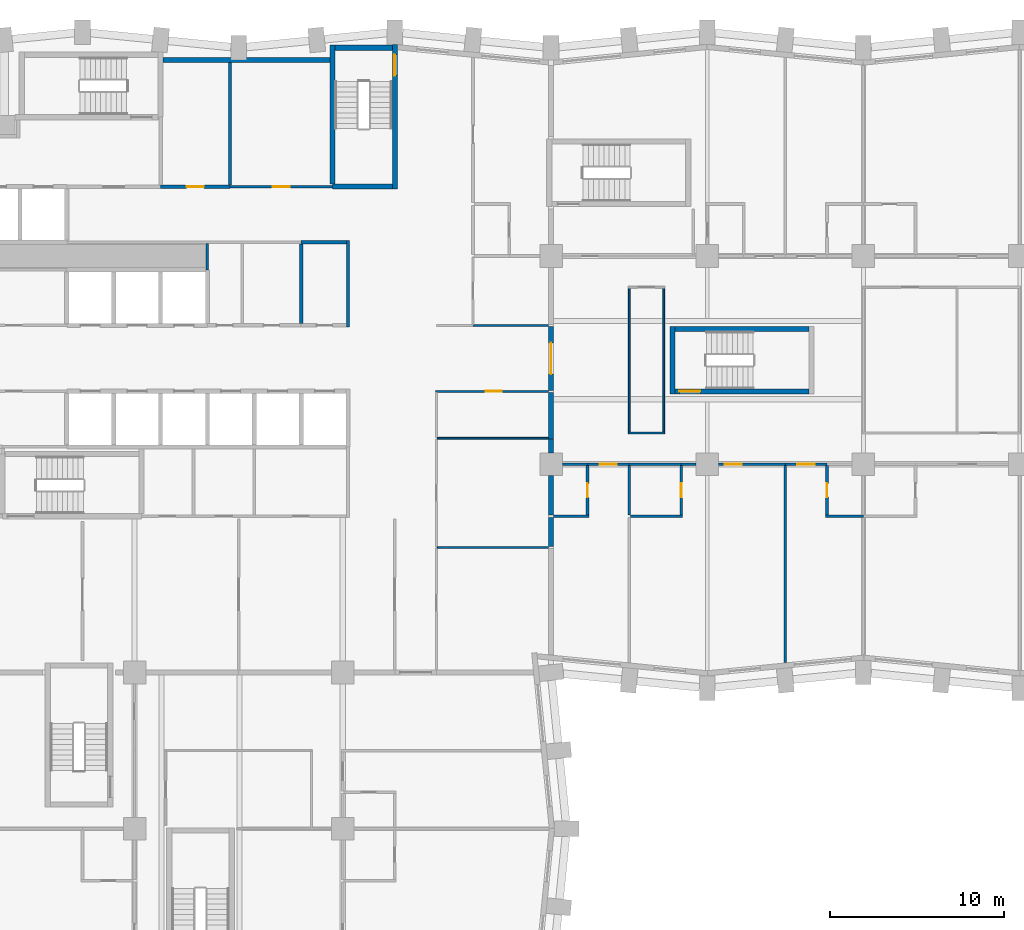
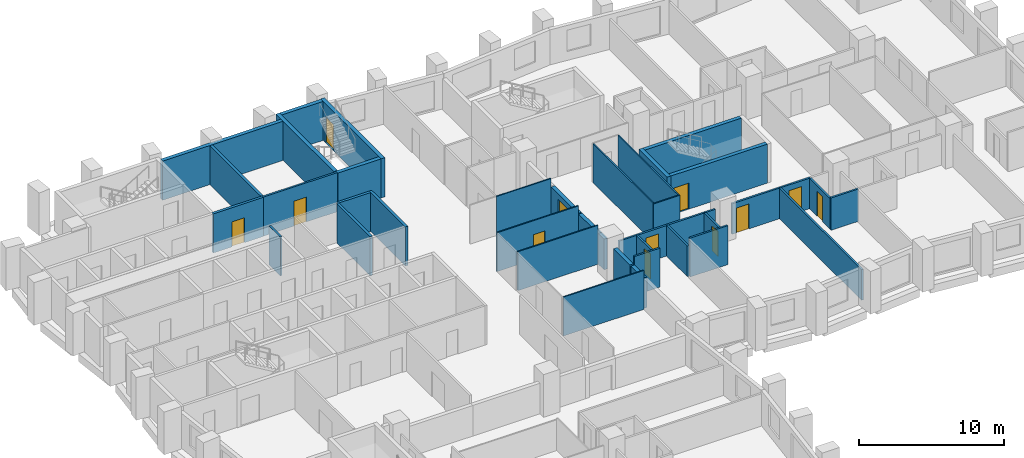
# One storey, part 7 of 12: 41 walls, 12 doors, 12 openings.
"""IFC4 building model written with IfcOpenShell, lengths in metres."""

from ifc_helpers import new_model, si_unit, direction, frame, frame_2d, origin, place, context, subcontext, project, spatial, rectangle, extrude, material, layer, layer_set, type_object, element, fill, save


model = new_model("IFC4")

# Units and contexts
model_context = context("Model", 3, precision=1e-05, world=origin(), true_north=direction((0.0, 1.0)))
body_context = subcontext(model_context, "Body", "Model", "MODEL_VIEW")
ifc_project = project(units=[si_unit("LENGTHUNIT", "METRE"), si_unit("AREAUNIT", "SQUARE_METRE"), si_unit("VOLUMEUNIT", "CUBIC_METRE"), si_unit("PLANEANGLEUNIT", "RADIAN"), si_unit("MASSUNIT", "GRAM", prefix="KILO")], contexts=[model_context])

# Site, building, storey
site_placement = place(None, origin())
site = spatial("IfcSite", under=ifc_project, at=site_placement, CompositionType="ELEMENT")
building_placement = place(site_placement, origin())
building = spatial("IfcBuilding", under=site, at=building_placement, Name="Brondeck Convention Tower", CompositionType="ELEMENT")
storey_placement = place(building_placement, frame((0.0, 0.0, 55.5)))
storey = spatial("IfcBuildingStorey", under=building, at=storey_placement, Name="L11", CompositionType="ELEMENT", Elevation=55.5)

# Walls
ifc_material_1 = material(Name="Concrete compartment wall C30/37", Category="concrete")
ifc_layer_1 = layer(ifc_material_1, 0.300048828125)
ifc_layer_set_1 = layer_set([ifc_layer_1], Name="Compartment wall 300")
wall_type_1 = type_object("IfcWallType", Name="Compartment wall 300", PredefinedType="PARTITIONING", material=ifc_layer_set_1)
wall_1_placement = place(storey_placement, frame((36.0, 35.925048828125, 0.0), z_axis=(0.0, 0.0, 1.0), x_axis=(0.0, -1.0, 0.0)))
element("IfcWall", 1, at=wall_1_placement, inside=storey, type_object=wall_type_1, Name="FLR-L11-W048", PredefinedType="PARTITIONING", context=body_context, shape_type="SweptSolid", body=[
    extrude(rectangle(XDim=1.675048828125, YDim=0.300048828125, at=frame_2d((0.83740234375, 0.0))), origin(), (0.0, 0.0, 1.0), 2.580078125),
])
wall_2_placement = place(storey_placement, frame((36.0, 38.344970703125, 0.0), z_axis=(0.0, 0.0, 1.0), x_axis=(0.0, -1.0, 0.0)))
element("IfcWall", 2, at=wall_2_placement, inside=storey, type_object=wall_type_1, Name="FLR-L11-W060", PredefinedType="PARTITIONING", context=body_context, shape_type="SweptSolid", body=[
    extrude(rectangle(XDim=2.27001953125, YDim=0.300048828125, at=frame_2d((1.135009765625, 0.0))), origin(), (0.0, 0.0, 1.0), 2.580078125),
])
wall_3_placement = place(storey_placement, frame((36.0, 40.449951171875, 0.0), z_axis=(0.0, 0.0, 1.0), x_axis=(0.0, -1.0, 0.0)))
element("IfcWall", 3, at=wall_3_placement, inside=storey, type_object=wall_type_1, Name="FLR-L11-W079", PredefinedType="PARTITIONING", context=body_context, shape_type="SweptSolid", body=[
    extrude(rectangle(XDim=0.794921875, YDim=0.300048828125, at=frame_2d((0.3974609375, 0.0))), origin(), (0.0, 0.0, 1.0), 2.580078125),
])
wall_4_placement = place(storey_placement, frame((36.0, 43.14990234375, 0.0), z_axis=(0.0, 0.0, 1.0), x_axis=(0.0, -1.0, 0.0)))
element("IfcWall", 4, at=wall_4_placement, inside=storey, type_object=wall_type_1, Name="FLR-L11-W086", PredefinedType="PARTITIONING", context=body_context, shape_type="SweptSolid", body=[
    extrude(rectangle(XDim=2.69482421875, YDim=0.300048828125, at=frame_2d((1.347412109375, 0.0))), origin(), (0.0, 0.0, 1.0), 2.580078125),
])

# Wall, opening, door
wall_5_placement = place(storey_placement, frame((36.0, 46.949951171875, 0.0), z_axis=(0.0, 0.0, 1.0), x_axis=(0.0, -1.0, 0.0)))
wall_5 = element("IfcWall", 5, at=wall_5_placement, inside=storey, type_object=wall_type_1, Name="FLR-L11-W090", PredefinedType="PARTITIONING", context=body_context, shape_type="SweptSolid", body=[
    extrude(rectangle(XDim=3.699951171875, YDim=0.300048828125, at=frame_2d((1.85009765625, 0.0))), origin(), (0.0, 0.0, 1.0), 2.580078125),
])
opening_1_placement = place(wall_5_placement, frame((0.949951171875, 0.0, 0.0)))
opening_1 = element("IfcOpeningElement", 6, at=opening_1_placement, cuts=wall_5, Name="Opening H2-042", PredefinedType="OPENING", context=body_context, shape_type="SweptSolid", body=[
    extrude(rectangle(XDim=1.800048828125, YDim=2.10009765625, at=frame_2d((0.89990234375, 1.050048828125))), frame((0.0, 0.159912109375, 0.0), z_axis=(0.0, -1.0, 0.0), x_axis=(1.0, 0.0, 0.0)), (0.0, 0.0, 1.0), 0.320068359375),
])
ifc_material_2 = material(Name="Steel fire door pair", Category="steel")
door_type_1 = type_object("IfcDoorType", Name="Fire door pair 1800", OperationType="DOUBLE_DOOR_SINGLE_SWING", PredefinedType="DOOR", material=ifc_material_2)
door_1_placement = place(opening_1_placement, origin())
door_1 = element("IfcDoor", 7, at=door_1_placement, inside=storey, type_object=door_type_1, Name="Door H2-042", OperationType="DOUBLE_DOOR_SINGLE_SWING", OverallHeight=2.10009765625, OverallWidth=1.800048828125, PredefinedType="DOOR", context=body_context, shape_type="SweptSolid", body=[
    extrude(rectangle(XDim=1.800048828125, YDim=2.10009765625, at=frame_2d((0.89990234375, 1.050048828125))), frame((0.0, 0.02490234375, 0.0), z_axis=(0.0, -1.0, 0.0), x_axis=(1.0, 0.0, 0.0)), (0.0, 0.0, 1.0), 0.050048828125),
])
fill(opening_1, door_1)

# Walls
ifc_material_3 = material(Name="Concrete C80/95", Category="concrete")
ifc_layer_2 = layer(ifc_material_3, 0.199951171875)
ifc_layer_set_2 = layer_set([ifc_layer_2], Name="Core beam-seat wall 200 Concrete C80/95")
wall_type_2 = type_object("IfcWallType", Name="Core beam-seat wall 200 Concrete C80/95", PredefinedType="SHEAR", material=ifc_layer_set_2)
wall_6_placement = place(storey_placement, frame((24.300048828125, 46.89990234375, 0.0), z_axis=(0.0, 0.0, 1.0), x_axis=(0.0, 1.0, 0.0)))
element("IfcWall", 8, at=wall_6_placement, inside=storey, type_object=wall_type_2, Name="L11 core wall", PredefinedType="SHEAR", context=body_context, shape_type="SweptSolid", body=[
    extrude(rectangle(XDim=5.0, YDim=0.199951171875, at=frame_2d((2.5, 0.0))), origin(), (0.0, 0.0, 1.0), 3.300048828125),
])
ifc_layer_3 = layer(ifc_material_3, 0.300048828125)
ifc_layer_set_3 = layer_set([ifc_layer_3], Name="Core outer wall 300 Concrete C80/95")
wall_type_3 = type_object("IfcWallType", Name="Core outer wall 300 Concrete C80/95", PredefinedType="SHEAR", material=ifc_layer_set_3)
wall_7_placement = place(storey_placement, frame((13.64990234375, 62.300048828125, 0.0), z_axis=(0.0, 0.0, 1.0), x_axis=(1.0, 0.0, 0.0)))
element("IfcWall", 9, at=wall_7_placement, inside=storey, type_object=wall_type_3, Name="L11 core wall", PredefinedType="SHEAR", context=body_context, shape_type="SweptSolid", body=[
    extrude(rectangle(XDim=9.60009765625, YDim=0.300048828125, at=frame_2d((4.800048828125, 0.0))), origin(), (0.0, 0.0, 1.0), 3.300048828125),
])

# Wall, opening, door
ifc_material_4 = material(Name="Fire-rated gypsum board partition")
ifc_layer_4 = layer(ifc_material_4, 0.14990234375)
ifc_layer_set_4 = layer_set([ifc_layer_4], Name="Core partition 150 EI 60")
wall_type_4 = type_object("IfcWallType", Name="Core partition 150 EI 60", PredefinedType="PARTITIONING", material=ifc_layer_set_4)
wall_8_placement = place(storey_placement, frame((17.5, 55.0, 0.0), z_axis=(0.0, 0.0, 1.0), x_axis=(1.0, 0.0, 0.0)))
wall_8 = element("IfcWall", 10, at=wall_8_placement, inside=storey, type_object=wall_type_4, Name="L11 core wall", PredefinedType="PARTITIONING", context=body_context, shape_type="SweptSolid", body=[
    extrude(rectangle(XDim=5.89990234375, YDim=0.14990234375, at=frame_2d((2.949951171875, 0.0))), origin(), (0.0, 0.0, 1.0), 3.300048828125),
])
opening_2_placement = place(wall_8_placement, frame((2.449951171875, 0.0, 0.0)))
opening_2 = element("IfcOpeningElement", 11, at=opening_2_placement, cuts=wall_8, Name="Opening C09-14", PredefinedType="OPENING", context=body_context, shape_type="SweptSolid", body=[
    extrude(rectangle(XDim=1.0, YDim=2.10009765625, at=frame_2d((0.5, 1.050048828125))), frame((0.0, 0.0849609375, 0.0), z_axis=(0.0, -1.0, 0.0), x_axis=(1.0, 0.0, 0.0)), (0.0, 0.0, 1.0), 0.169921875),
])
ifc_material_5 = material(Name="Steel fire door", Category="steel")
door_type_2 = type_object("IfcDoorType", Name="Room door 1000x2100 EI 60", OperationType="NOTDEFINED", PredefinedType="DOOR", material=ifc_material_5)
door_2_placement = place(opening_2_placement, origin())
door_2 = element("IfcDoor", 12, at=door_2_placement, inside=storey, type_object=door_type_2, Name="L11 Room door NE-2", OperationType="SINGLE_SWING_RIGHT", OverallHeight=2.10009765625, OverallWidth=1.0, PredefinedType="DOOR", context=body_context, shape_type="SweptSolid", body=[
    extrude(rectangle(XDim=1.0, YDim=2.10009765625, at=frame_2d((0.5, 1.050048828125))), frame((0.0, 0.02490234375, 0.0), z_axis=(0.0, -1.0, 0.0), x_axis=(1.0, 0.0, 0.0)), (0.0, 0.0, 1.0), 0.050048828125),
])
fill(opening_2, door_2)

# Walls
wall_9_placement = place(storey_placement, frame((16.199951171875, 50.199951171875, 0.0), z_axis=(0.0, 0.0, 1.0), x_axis=(0.0, 1.0, 0.0)))
element("IfcWall", 13, at=wall_9_placement, inside=storey, type_object=wall_type_4, Name="L11 core wall", PredefinedType="PARTITIONING", context=body_context, shape_type="SweptSolid", body=[
    extrude(rectangle(XDim=1.525146484375, YDim=0.14990234375, at=frame_2d((0.7626953125, 0.0))), origin(), (0.0, 0.0, 1.0), 3.300048828125),
])
ifc_material_6 = material(Name="Double gypsum board acoustic wall")
ifc_layer_5 = layer(ifc_material_6, 0.14990234375)
ifc_layer_set_5 = layer_set([ifc_layer_5], Name="Guest room party wall 150")
wall_type_5 = type_object("IfcWallType", Name="Guest room party wall 150", PredefinedType="PARTITIONING", material=ifc_layer_set_5)
wall_10_placement = place(storey_placement, frame((36.14990234375, 36.0, 0.0), z_axis=(0.0, 0.0, 1.0), x_axis=(1.0, 0.0, 0.0)))
element("IfcWall", 14, at=wall_10_placement, inside=storey, type_object=wall_type_5, Name="FLR-L11-W051", PredefinedType="PARTITIONING", context=body_context, shape_type="SweptSolid", body=[
    extrude(rectangle(XDim=2.025146484375, YDim=0.14990234375, at=frame_2d((1.0126953125, 0.0))), origin(), (0.0, 0.0, 1.0), 3.280029296875),
])
wall_11_placement = place(storey_placement, frame((40.574951171875, 36.0, 0.0), z_axis=(0.0, 0.0, 1.0), x_axis=(1.0, 0.0, 0.0)))
element("IfcWall", 15, at=wall_11_placement, inside=storey, type_object=wall_type_5, Name="FLR-L11-W052", PredefinedType="PARTITIONING", context=body_context, shape_type="SweptSolid", body=[
    extrude(rectangle(XDim=3.0, YDim=0.14990234375, at=frame_2d((1.5, 0.0))), origin(), (0.0, 0.0, 1.0), 3.280029296875),
])
wall_12_placement = place(storey_placement, frame((51.824951171875, 36.0, 0.0), z_axis=(0.0, 0.0, 1.0), x_axis=(1.0, 0.0, 0.0)))
element("IfcWall", 16, at=wall_12_placement, inside=storey, type_object=wall_type_5, Name="FLR-L11-W053", PredefinedType="PARTITIONING", context=body_context, shape_type="SweptSolid", body=[
    extrude(rectangle(XDim=2.175048828125, YDim=0.14990234375, at=frame_2d((1.08740234375, 0.0))), origin(), (0.0, 0.0, 1.0), 2.72998046875),
])

# Wall, opening, door
wall_13_placement = place(storey_placement, frame((38.10009765625, 36.074951171875, 0.0), z_axis=(0.0, 0.0, 1.0), x_axis=(0.0, 1.0, 0.0)))
wall_13 = element("IfcWall", 17, at=wall_13_placement, inside=storey, type_object=wall_type_5, Name="FLR-L11-W056", PredefinedType="PARTITIONING", context=body_context, shape_type="SweptSolid", body=[
    extrude(rectangle(XDim=2.85009765625, YDim=0.14990234375, at=frame_2d((1.425048828125, 0.0))), origin(), (0.0, 0.0, 1.0), 2.580078125),
])
opening_3_placement = place(wall_13_placement, frame((1.02490234375, 0.0, 0.0)))
opening_3 = element("IfcOpeningElement", 18, at=opening_3_placement, cuts=wall_13, Name="Opening H2-009", PredefinedType="OPENING", context=body_context, shape_type="SweptSolid", body=[
    extrude(rectangle(XDim=0.800048828125, YDim=2.10009765625, at=frame_2d((0.39990234375, 1.050048828125))), frame((0.0, 0.0849609375, 0.0), z_axis=(0.0, -1.0, 0.0), x_axis=(1.0, 0.0, 0.0)), (0.0, 0.0, 1.0), 0.169921875),
])
ifc_material_7 = material(Name="Solid timber door leaf", Category="wood")
door_type_3 = type_object("IfcDoorType", Name="En-suite door 800", OperationType="NOTDEFINED", PredefinedType="DOOR", material=ifc_material_7)
door_3_placement = place(opening_3_placement, origin())
door_3 = element("IfcDoor", 19, at=door_3_placement, inside=storey, type_object=door_type_3, Name="Door H2-009", OperationType="SINGLE_SWING_LEFT", OverallHeight=2.10009765625, OverallWidth=0.800048828125, PredefinedType="DOOR", context=body_context, shape_type="SweptSolid", body=[
    extrude(rectangle(XDim=0.800048828125, YDim=2.10009765625, at=frame_2d((0.39990234375, 1.050048828125))), frame((0.0, 0.02490234375, 0.0), z_axis=(0.0, -1.0, 0.0), x_axis=(1.0, 0.0, 0.0)), (0.0, 0.0, 1.0), 0.050048828125),
])
fill(opening_3, door_3)

wall_14_placement = place(storey_placement, frame((43.5, 36.074951171875, 0.0), z_axis=(0.0, 0.0, 1.0), x_axis=(0.0, 1.0, 0.0)))
wall_14 = element("IfcWall", 20, at=wall_14_placement, inside=storey, type_object=wall_type_5, Name="FLR-L11-W057", PredefinedType="PARTITIONING", context=body_context, shape_type="SweptSolid", body=[
    extrude(rectangle(XDim=2.85009765625, YDim=0.14990234375, at=frame_2d((1.425048828125, 0.0))), origin(), (0.0, 0.0, 1.0), 2.580078125),
])
opening_4_placement = place(wall_14_placement, frame((1.02490234375, 0.0, 0.0)))
opening_4 = element("IfcOpeningElement", 21, at=opening_4_placement, cuts=wall_14, Name="Opening H2-011", PredefinedType="OPENING", context=body_context, shape_type="SweptSolid", body=[
    extrude(rectangle(XDim=0.800048828125, YDim=2.10009765625, at=frame_2d((0.39990234375, 1.050048828125))), frame((0.0, 0.0849609375, 0.0), z_axis=(0.0, -1.0, 0.0), x_axis=(1.0, 0.0, 0.0)), (0.0, 0.0, 1.0), 0.169921875),
])
door_4_placement = place(opening_4_placement, origin())
door_4 = element("IfcDoor", 22, at=door_4_placement, inside=storey, type_object=door_type_3, Name="Door H2-011", OperationType="SINGLE_SWING_RIGHT", OverallHeight=2.10009765625, OverallWidth=0.800048828125, PredefinedType="DOOR", context=body_context, shape_type="SweptSolid", body=[
    extrude(rectangle(XDim=0.800048828125, YDim=2.10009765625, at=frame_2d((0.39990234375, 1.050048828125))), frame((0.0, 0.02490234375, 0.0), z_axis=(0.0, -1.0, 0.0), x_axis=(1.0, 0.0, 0.0)), (0.0, 0.0, 1.0), 0.050048828125),
])
fill(opening_4, door_4)

# Walls
wall_15_placement = place(storey_placement, frame((40.5, 38.925048828125, 0.0), z_axis=(0.0, 0.0, 1.0), x_axis=(0.0, -1.0, 0.0)))
element("IfcWall", 23, at=wall_15_placement, inside=storey, type_object=wall_type_5, Name="FLR-L11-W063", PredefinedType="PARTITIONING", context=body_context, shape_type="SweptSolid", body=[
    extrude(rectangle(XDim=2.85009765625, YDim=0.14990234375, at=frame_2d((1.425048828125, 0.0))), origin(), (0.0, 0.0, 1.0), 2.580078125),
])
wall_16_placement = place(storey_placement, frame((49.5, 38.925048828125, 0.0), z_axis=(0.0, 0.0, 1.0), x_axis=(0.0, -1.0, 0.0)))
element("IfcWall", 24, at=wall_16_placement, inside=storey, type_object=wall_type_5, Name="FLR-L11-W064", PredefinedType="PARTITIONING", context=body_context, shape_type="SweptSolid", body=[
    extrude(rectangle(XDim=11.35009765625, YDim=0.14990234375, at=frame_2d((5.675048828125, 0.0))), origin(), (0.0, 0.0, 1.0), 2.580078125),
])

# Wall, opening, door
wall_17_placement = place(storey_placement, frame((51.89990234375, 38.925048828125, 0.0), z_axis=(0.0, 0.0, 1.0), x_axis=(0.0, -1.0, 0.0)))
wall_17 = element("IfcWall", 25, at=wall_17_placement, inside=storey, type_object=wall_type_5, Name="FLR-L11-W065", PredefinedType="PARTITIONING", context=body_context, shape_type="SweptSolid", body=[
    extrude(rectangle(XDim=2.85009765625, YDim=0.14990234375, at=frame_2d((1.425048828125, 0.0))), origin(), (0.0, 0.0, 1.0), 2.580078125),
])
opening_5_placement = place(wall_17_placement, frame((1.02490234375, 0.0, 0.0)))
opening_5 = element("IfcOpeningElement", 26, at=opening_5_placement, cuts=wall_17, Name="Opening H2-013", PredefinedType="OPENING", context=body_context, shape_type="SweptSolid", body=[
    extrude(rectangle(XDim=0.800048828125, YDim=2.10009765625, at=frame_2d((0.39990234375, 1.050048828125))), frame((0.0, 0.0849609375, 0.0), z_axis=(0.0, -1.0, 0.0), x_axis=(1.0, 0.0, 0.0)), (0.0, 0.0, 1.0), 0.169921875),
])
door_5_placement = place(opening_5_placement, origin())
door_5 = element("IfcDoor", 27, at=door_5_placement, inside=storey, type_object=door_type_3, Name="Door H2-013", OperationType="SINGLE_SWING_LEFT", OverallHeight=2.10009765625, OverallWidth=0.800048828125, PredefinedType="DOOR", context=body_context, shape_type="SweptSolid", body=[
    extrude(rectangle(XDim=0.800048828125, YDim=2.10009765625, at=frame_2d((0.39990234375, 1.050048828125))), frame((0.0, 0.02490234375, 0.0), z_axis=(0.0, -1.0, 0.0), x_axis=(1.0, 0.0, 0.0)), (0.0, 0.0, 1.0), 0.050048828125),
])
fill(opening_5, door_5)

# Wall
wall_18_placement = place(storey_placement, frame((38.10009765625, 39.0, 0.0), z_axis=(0.0, 0.0, 1.0), x_axis=(-1.0, 0.0, 0.0)))
element("IfcWall", 28, at=wall_18_placement, inside=storey, type_object=wall_type_5, Name="FLR-L11-W067", PredefinedType="PARTITIONING", context=body_context, shape_type="SweptSolid", body=[
    extrude(rectangle(XDim=1.445068359375, YDim=0.14990234375, at=frame_2d((0.72265625, 0.0))), origin(), (0.0, 0.0, 1.0), 2.580078125),
])

# Wall, opening, door
wall_19_placement = place(storey_placement, frame((40.5, 39.0, 0.0), z_axis=(0.0, 0.0, 1.0), x_axis=(-1.0, 0.0, 0.0)))
wall_19 = element("IfcWall", 29, at=wall_19_placement, inside=storey, type_object=wall_type_5, Name="FLR-L11-W068", PredefinedType="PARTITIONING", context=body_context, shape_type="SweptSolid", body=[
    extrude(rectangle(XDim=2.39990234375, YDim=0.14990234375, at=frame_2d((1.199951171875, 0.0))), origin(), (0.0, 0.0, 1.0), 2.580078125),
])
opening_6_placement = place(wall_19_placement, frame((0.699951171875, 0.0, 0.0)))
opening_6 = element("IfcOpeningElement", 30, at=opening_6_placement, cuts=wall_19, Name="Opening H2-008", PredefinedType="OPENING", context=body_context, shape_type="SweptSolid", body=[
    extrude(rectangle(XDim=1.0, YDim=2.10009765625, at=frame_2d((0.5, 1.050048828125))), frame((0.0, 0.0849609375, 0.0), z_axis=(0.0, -1.0, 0.0), x_axis=(1.0, 0.0, 0.0)), (0.0, 0.0, 1.0), 0.169921875),
])
ifc_material_8 = material(Name="Solid timber fire door leaf", Category="wood")
door_type_4 = type_object("IfcDoorType", Name="Guest room door 1000", OperationType="NOTDEFINED", PredefinedType="DOOR", material=ifc_material_8)
door_6_placement = place(opening_6_placement, origin())
door_6 = element("IfcDoor", 31, at=door_6_placement, inside=storey, type_object=door_type_4, Name="Door H2-008", OperationType="SINGLE_SWING_LEFT", OverallHeight=2.10009765625, OverallWidth=1.0, PredefinedType="DOOR", context=body_context, shape_type="SweptSolid", body=[
    extrude(rectangle(XDim=1.0, YDim=2.10009765625, at=frame_2d((0.5, 1.050048828125))), frame((0.0, 0.02490234375, 0.0), z_axis=(0.0, -1.0, 0.0), x_axis=(1.0, 0.0, 0.0)), (0.0, 0.0, 1.0), 0.050048828125),
])
fill(opening_6, door_6)

# Walls
wall_20_placement = place(storey_placement, frame((43.5, 39.0, 0.0), z_axis=(0.0, 0.0, 1.0), x_axis=(-1.0, 0.0, 0.0)))
element("IfcWall", 32, at=wall_20_placement, inside=storey, type_object=wall_type_5, Name="FLR-L11-W069", PredefinedType="PARTITIONING", context=body_context, shape_type="SweptSolid", body=[
    extrude(rectangle(XDim=3.0, YDim=0.14990234375, at=frame_2d((1.5, 0.0))), origin(), (0.0, 0.0, 1.0), 2.580078125),
])
wall_21_placement = place(storey_placement, frame((44.344970703125, 39.0, 0.0), z_axis=(0.0, 0.0, 1.0), x_axis=(-1.0, 0.0, 0.0)))
element("IfcWall", 33, at=wall_21_placement, inside=storey, type_object=wall_type_5, Name="FLR-L11-W070", PredefinedType="PARTITIONING", context=body_context, shape_type="SweptSolid", body=[
    extrude(rectangle(XDim=0.844970703125, YDim=0.14990234375, at=frame_2d((0.42236328125, 0.0))), origin(), (0.0, 0.0, 1.0), 2.580078125),
])

# Wall, opening, door
wall_22_placement = place(storey_placement, frame((49.5, 39.0, 0.0), z_axis=(0.0, 0.0, 1.0), x_axis=(-1.0, 0.0, 0.0)))
wall_22 = element("IfcWall", 34, at=wall_22_placement, inside=storey, type_object=wall_type_5, Name="FLR-L11-W071", PredefinedType="PARTITIONING", context=body_context, shape_type="SweptSolid", body=[
    extrude(rectangle(XDim=3.844970703125, YDim=0.14990234375, at=frame_2d((1.92236328125, 0.0))), origin(), (0.0, 0.0, 1.0), 2.580078125),
])
opening_7_placement = place(wall_22_placement, frame((2.5, 0.0, 0.0)))
opening_7 = element("IfcOpeningElement", 35, at=opening_7_placement, cuts=wall_22, Name="Opening H2-010", PredefinedType="OPENING", context=body_context, shape_type="SweptSolid", body=[
    extrude(rectangle(XDim=1.0, YDim=2.10009765625, at=frame_2d((0.5, 1.050048828125))), frame((0.0, 0.0849609375, 0.0), z_axis=(0.0, -1.0, 0.0), x_axis=(1.0, 0.0, 0.0)), (0.0, 0.0, 1.0), 0.169921875),
])
door_7_placement = place(opening_7_placement, origin())
door_7 = element("IfcDoor", 36, at=door_7_placement, inside=storey, type_object=door_type_4, Name="Door H2-010", OperationType="SINGLE_SWING_RIGHT", OverallHeight=2.10009765625, OverallWidth=1.0, PredefinedType="DOOR", context=body_context, shape_type="SweptSolid", body=[
    extrude(rectangle(XDim=1.0, YDim=2.10009765625, at=frame_2d((0.5, 1.050048828125))), frame((0.0, 0.02490234375, 0.0), z_axis=(0.0, -1.0, 0.0), x_axis=(1.0, 0.0, 0.0)), (0.0, 0.0, 1.0), 0.050048828125),
])
fill(opening_7, door_7)

wall_23_placement = place(storey_placement, frame((51.89990234375, 39.0, 0.0), z_axis=(0.0, 0.0, 1.0), x_axis=(-1.0, 0.0, 0.0)))
wall_23 = element("IfcWall", 37, at=wall_23_placement, inside=storey, type_object=wall_type_5, Name="FLR-L11-W072", PredefinedType="PARTITIONING", context=body_context, shape_type="SweptSolid", body=[
    extrude(rectangle(XDim=2.39990234375, YDim=0.14990234375, at=frame_2d((1.199951171875, 0.0))), origin(), (0.0, 0.0, 1.0), 2.580078125),
])
opening_8_placement = place(wall_23_placement, frame((0.699951171875, 0.0, 0.0)))
opening_8 = element("IfcOpeningElement", 38, at=opening_8_placement, cuts=wall_23, Name="Opening H2-012", PredefinedType="OPENING", context=body_context, shape_type="SweptSolid", body=[
    extrude(rectangle(XDim=1.0, YDim=2.10009765625, at=frame_2d((0.5, 1.050048828125))), frame((0.0, 0.0849609375, 0.0), z_axis=(0.0, -1.0, 0.0), x_axis=(1.0, 0.0, 0.0)), (0.0, 0.0, 1.0), 0.169921875),
])
door_8_placement = place(opening_8_placement, origin())
door_8 = element("IfcDoor", 39, at=door_8_placement, inside=storey, type_object=door_type_4, Name="Door H2-012", OperationType="SINGLE_SWING_LEFT", OverallHeight=2.10009765625, OverallWidth=1.0, PredefinedType="DOOR", context=body_context, shape_type="SweptSolid", body=[
    extrude(rectangle(XDim=1.0, YDim=2.10009765625, at=frame_2d((0.5, 1.050048828125))), frame((0.0, 0.02490234375, 0.0), z_axis=(0.0, -1.0, 0.0), x_axis=(1.0, 0.0, 0.0)), (0.0, 0.0, 1.0), 0.050048828125),
])
fill(opening_8, door_8)

# Wall
ifc_layer_6 = layer(ifc_material_4, 0.199951171875)
ifc_layer_set_6 = layer_set([ifc_layer_6], Name="Riser wall 200 EI 120")
wall_type_6 = type_object("IfcWallType", Name="Riser wall 200 EI 120", PredefinedType="PARTITIONING", material=ifc_layer_set_6)
wall_24_placement = place(storey_placement, frame((21.60009765625, 51.800048828125, 0.0), z_axis=(0.0, 0.0, 1.0), x_axis=(1.0, 0.0, 0.0)))
element("IfcWall", 40, at=wall_24_placement, inside=storey, type_object=wall_type_6, Name="L11 core wall", PredefinedType="PARTITIONING", context=body_context, shape_type="SweptSolid", body=[
    extrude(rectangle(XDim=2.599853515625, YDim=0.199951171875, at=frame_2d((1.2998046875, 0.0))), origin(), (0.0, 0.0, 1.0), 3.300048828125),
])

# Wall, opening, door
wall_25_placement = place(storey_placement, frame((13.5, 55.0, 0.0), z_axis=(0.0, 0.0, 1.0), x_axis=(1.0, 0.0, 0.0)))
wall_25 = element("IfcWall", 41, at=wall_25_placement, inside=storey, type_object=wall_type_6, Name="L11 core wall", PredefinedType="PARTITIONING", context=body_context, shape_type="SweptSolid", body=[
    extrude(rectangle(XDim=4.0, YDim=0.199951171875, at=frame_2d((2.0, 0.0))), origin(), (0.0, 0.0, 1.0), 3.300048828125),
])
opening_9_placement = place(wall_25_placement, frame((1.5, 0.0, 0.0)))
opening_9 = element("IfcOpeningElement", 42, at=opening_9_placement, cuts=wall_25, Name="Opening C09-13", PredefinedType="OPENING", context=body_context, shape_type="SweptSolid", body=[
    extrude(rectangle(XDim=1.0, YDim=2.10009765625, at=frame_2d((0.5, 1.050048828125))), frame((0.0, 0.10986328125, 0.0), z_axis=(0.0, -1.0, 0.0), x_axis=(1.0, 0.0, 0.0)), (0.0, 0.0, 1.0), 0.219970703125),
])
door_type_5 = type_object("IfcDoorType", Name="Riser door 1000x2100 EI 120", OperationType="NOTDEFINED", PredefinedType="DOOR", material=ifc_material_5)
door_9_placement = place(opening_9_placement, origin())
door_9 = element("IfcDoor", 43, at=door_9_placement, inside=storey, type_object=door_type_5, Name="L11 Riser door NE-1", OperationType="SINGLE_SWING_LEFT", OverallHeight=2.10009765625, OverallWidth=1.0, PredefinedType="DOOR", context=body_context, shape_type="SweptSolid", body=[
    extrude(rectangle(XDim=1.0, YDim=2.10009765625, at=frame_2d((0.5, 1.050048828125))), frame((0.0, 0.02490234375, 0.0), z_axis=(0.0, -1.0, 0.0), x_axis=(1.0, 0.0, 0.0)), (0.0, 0.0, 1.0), 0.050048828125),
])
fill(opening_9, door_9)

# Walls
wall_26_placement = place(storey_placement, frame((17.5, 55.10009765625, 0.0), z_axis=(0.0, 0.0, 1.0), x_axis=(0.0, 1.0, 0.0)))
element("IfcWall", 44, at=wall_26_placement, inside=storey, type_object=wall_type_6, Name="L11 core wall", PredefinedType="PARTITIONING", context=body_context, shape_type="SweptSolid", body=[
    extrude(rectangle(XDim=7.0498046875, YDim=0.199951171875, at=frame_2d((3.52490234375, 0.0))), origin(), (0.0, 0.0, 1.0), 3.300048828125),
])
wall_27_placement = place(storey_placement, frame((21.60009765625, 47.10009765625, 0.0), z_axis=(0.0, 0.0, 1.0), x_axis=(0.0, 1.0, 0.0)))
element("IfcWall", 45, at=wall_27_placement, inside=storey, type_object=wall_type_6, Name="L11 core wall", PredefinedType="PARTITIONING", context=body_context, shape_type="SweptSolid", body=[
    extrude(rectangle(XDim=4.599853515625, YDim=0.199951171875, at=frame_2d((2.2998046875, 0.0))), origin(), (0.0, 0.0, 1.0), 3.300048828125),
])
ifc_material_9 = material(Name="Gypsum board partition on steel studs", Category="steel")
ifc_layer_7 = layer(ifc_material_9, 0.10009765625)
ifc_layer_set_7 = layer_set([ifc_layer_7], Name="Room partition 100")
wall_type_7 = type_object("IfcWallType", Name="Room partition 100", PredefinedType="PARTITIONING", material=ifc_layer_set_7)
for number, where, z_axis, x_axis, name in (
    (46, (35.85009765625, 34.199951171875, 0.0), (0.0, 0.0, 1.0), (-1.0, 0.0, 0.0), "FLR-L11-W045"),
    (47, (35.85009765625, 40.5, 0.0), (0.0, 0.0, 1.0), (-1.0, 0.0, 0.0), "FLR-L11-W080"),
):
    element("IfcWall", number, at=place(storey_placement, frame(where, z_axis=z_axis, x_axis=x_axis)), inside=storey, type_object=wall_type_7, Name=name, PredefinedType="PARTITIONING", context=body_context, shape_type="SweptSolid", body=[
        extrude(rectangle(XDim=6.400146484375, YDim=0.10009765625, at=frame_2d((3.2001953125, 0.0))), origin(), (0.0, 0.0, 1.0), 3.280029296875),
    ])
wall_28_placement = place(storey_placement, frame((40.449951171875, 40.800048828125, 0.0), z_axis=(0.0, 0.0, 1.0), x_axis=(1.0, 0.0, 0.0)))
element("IfcWall", 48, at=wall_28_placement, inside=storey, type_object=wall_type_7, Name="FLR-L11-W081", PredefinedType="PARTITIONING", context=body_context, shape_type="SweptSolid", body=[
    extrude(rectangle(XDim=2.10009765625, YDim=0.10009765625, at=frame_2d((1.050048828125, 0.0))), origin(), (0.0, 0.0, 1.0), 3.280029296875),
])

# Wall, opening, door
wall_29_placement = place(storey_placement, frame((35.85009765625, 43.199951171875, 0.0), z_axis=(0.0, 0.0, 1.0), x_axis=(-1.0, 0.0, 0.0)))
wall_29 = element("IfcWall", 49, at=wall_29_placement, inside=storey, type_object=wall_type_7, Name="FLR-L11-W087", PredefinedType="PARTITIONING", context=body_context, shape_type="SweptSolid", body=[
    extrude(rectangle(XDim=6.5, YDim=0.10009765625, at=frame_2d((3.25, 0.0))), origin(), (0.0, 0.0, 1.0), 3.280029296875),
])
opening_10_placement = place(wall_29_placement, frame((2.699951171875, 0.0, 0.0)))
opening_10 = element("IfcOpeningElement", 50, at=opening_10_placement, cuts=wall_29, Name="Opening H2-036", PredefinedType="OPENING", context=body_context, shape_type="SweptSolid", body=[
    extrude(rectangle(XDim=0.89990234375, YDim=2.10009765625, at=frame_2d((0.449951171875, 1.050048828125))), frame((0.0, 0.06005859375, 0.0), z_axis=(0.0, -1.0, 0.0), x_axis=(1.0, 0.0, 0.0)), (0.0, 0.0, 1.0), 0.1201171875),
])
door_type_6 = type_object("IfcDoorType", Name="Single door 900", OperationType="NOTDEFINED", PredefinedType="DOOR", material=ifc_material_7)
door_10_placement = place(opening_10_placement, origin())
door_10 = element("IfcDoor", 51, at=door_10_placement, inside=storey, type_object=door_type_6, Name="Door H2-036", OperationType="SINGLE_SWING_LEFT", OverallHeight=2.10009765625, OverallWidth=0.89990234375, PredefinedType="DOOR", context=body_context, shape_type="SweptSolid", body=[
    extrude(rectangle(XDim=0.89990234375, YDim=2.10009765625, at=frame_2d((0.449951171875, 1.050048828125))), frame((0.0, 0.02490234375, 0.0), z_axis=(0.0, -1.0, 0.0), x_axis=(1.0, 0.0, 0.0)), (0.0, 0.0, 1.0), 0.050048828125),
])
fill(opening_10, door_10)

# Walls
wall_30_placement = place(storey_placement, frame((31.5, 47.0, 0.0), z_axis=(0.0, 0.0, 1.0), x_axis=(1.0, 0.0, 0.0)))
element("IfcWall", 52, at=wall_30_placement, inside=storey, type_object=wall_type_7, Name="FLR-L11-W092", PredefinedType="PARTITIONING", context=body_context, shape_type="SweptSolid", body=[
    extrude(rectangle(XDim=4.35009765625, YDim=0.10009765625, at=frame_2d((2.175048828125, 0.0))), origin(), (0.0, 0.0, 1.0), 3.280029296875),
])
for number, where, z_axis, x_axis, name in (
    (53, (40.5, 49.14990234375, 0.0), (0.0, 0.0, 1.0), (0.0, -1.0, 0.0), "FLR-L11-W094"),
    (54, (42.5, 49.14990234375, 0.0), (0.0, 0.0, 1.0), (0.0, -1.0, 0.0), "FLR-L11-W095"),
):
    element("IfcWall", number, at=place(storey_placement, frame(where, z_axis=z_axis, x_axis=x_axis)), inside=storey, type_object=wall_type_7, Name=name, PredefinedType="PARTITIONING", context=body_context, shape_type="SweptSolid", body=[
        extrude(rectangle(XDim=8.2998046875, YDim=0.10009765625, at=frame_2d((4.14990234375, 0.0))), origin(), (0.0, 0.0, 1.0), 3.280029296875),
    ])

# Wall, opening, door
ifc_layer_8 = layer(ifc_material_3, 0.300048828125)
ifc_layer_set_8 = layer_set([ifc_layer_8], Name="Stair enclosure wall 300 Concrete C80/95")
wall_type_8 = type_object("IfcWallType", Name="Stair enclosure wall 300 Concrete C80/95", PredefinedType="SHEAR", material=ifc_layer_set_8)
wall_31_placement = place(storey_placement, frame((43.14990234375, 43.199951171875, 0.0), z_axis=(0.0, 0.0, 1.0), x_axis=(1.0, 0.0, 0.0)))
wall_31 = element("IfcWall", 55, at=wall_31_placement, inside=storey, type_object=wall_type_8, Name="L11 core wall", PredefinedType="SHEAR", context=body_context, shape_type="SweptSolid", body=[
    extrude(rectangle(XDim=7.7001953125, YDim=0.300048828125, at=frame_2d((3.85009765625, 0.0))), origin(), (0.0, 0.0, 1.0), 3.300048828125),
])
opening_11_placement = place(wall_31_placement, frame((0.25, 0.0, 0.0)))
opening_11 = element("IfcOpeningElement", 56, at=opening_11_placement, cuts=wall_31, Name="Opening C09-19", PredefinedType="OPENING", context=body_context, shape_type="SweptSolid", body=[
    extrude(rectangle(XDim=1.199951171875, YDim=2.199951171875, at=frame_2d((0.60009765625, 1.10009765625))), frame((0.0, 0.159912109375, 0.0), z_axis=(0.0, -1.0, 0.0), x_axis=(1.0, 0.0, 0.0)), (0.0, 0.0, 1.0), 0.320068359375),
])
door_type_7 = type_object("IfcDoorType", Name="Stair door 1200x2200 EI 90", OperationType="NOTDEFINED", PredefinedType="DOOR", material=ifc_material_5)
door_11_placement = place(opening_11_placement, origin())
door_11 = element("IfcDoor", 57, at=door_11_placement, inside=storey, type_object=door_type_7, Name="L11 Stair door ST-AF", OperationType="SINGLE_SWING_RIGHT", OverallHeight=2.199951171875, OverallWidth=1.199951171875, PredefinedType="DOOR", context=body_context, shape_type="SweptSolid", body=[
    extrude(rectangle(XDim=1.199951171875, YDim=2.199951171875, at=frame_2d((0.60009765625, 1.10009765625))), frame((0.0, 0.02490234375, 0.0), z_axis=(0.0, -1.0, 0.0), x_axis=(1.0, 0.0, 0.0)), (0.0, 0.0, 1.0), 0.050048828125),
])
fill(opening_11, door_11)

# Walls
wall_32_placement = place(storey_placement, frame((43.14990234375, 46.800048828125, 0.0), z_axis=(0.0, 0.0, 1.0), x_axis=(1.0, 0.0, 0.0)))
element("IfcWall", 58, at=wall_32_placement, inside=storey, type_object=wall_type_8, Name="L11 core wall", PredefinedType="SHEAR", context=body_context, shape_type="SweptSolid", body=[
    extrude(rectangle(XDim=7.7001953125, YDim=0.300048828125, at=frame_2d((3.85009765625, 0.0))), origin(), (0.0, 0.0, 1.0), 3.300048828125),
])
wall_33_placement = place(storey_placement, frame((23.39990234375, 55.0, 0.0), z_axis=(0.0, 0.0, 1.0), x_axis=(1.0, 0.0, 0.0)))
element("IfcWall", 59, at=wall_33_placement, inside=storey, type_object=wall_type_8, Name="L11 core wall", PredefinedType="SHEAR", context=body_context, shape_type="SweptSolid", body=[
    extrude(rectangle(XDim=3.4501953125, YDim=0.300048828125, at=frame_2d((1.72509765625, 0.0))), origin(), (0.0, 0.0, 1.0), 3.300048828125),
])
wall_34_placement = place(storey_placement, frame((23.550048828125, 63.0, 0.0), z_axis=(0.0, 0.0, 1.0), x_axis=(1.0, 0.0, 0.0)))
element("IfcWall", 60, at=wall_34_placement, inside=storey, type_object=wall_type_8, Name="L11 core wall", PredefinedType="SHEAR", context=body_context, shape_type="SweptSolid", body=[
    extrude(rectangle(XDim=3.300048828125, YDim=0.300048828125, at=frame_2d((1.64990234375, 0.0))), origin(), (0.0, 0.0, 1.0), 3.300048828125),
])
wall_35_placement = place(storey_placement, frame((23.39990234375, 55.14990234375, 0.0), z_axis=(0.0, 0.0, 1.0), x_axis=(0.0, 1.0, 0.0)))
element("IfcWall", 61, at=wall_35_placement, inside=storey, type_object=wall_type_8, Name="L11 core wall", PredefinedType="SHEAR", context=body_context, shape_type="SweptSolid", body=[
    extrude(rectangle(XDim=8.0, YDim=0.300048828125, at=frame_2d((4.0, 0.0))), origin(), (0.0, 0.0, 1.0), 3.300048828125),
])

# Wall, opening, door
wall_36_placement = place(storey_placement, frame((27.0, 54.85009765625, 0.0), z_axis=(0.0, 0.0, 1.0), x_axis=(0.0, 1.0, 0.0)))
wall_36 = element("IfcWall", 62, at=wall_36_placement, inside=storey, type_object=wall_type_8, Name="L11 core wall", PredefinedType="SHEAR", context=body_context, shape_type="SweptSolid", body=[
    extrude(rectangle(XDim=8.349853515625, YDim=0.300048828125, at=frame_2d((4.1748046875, 0.0))), origin(), (0.0, 0.0, 1.0), 3.300048828125),
])
opening_12_placement = place(wall_36_placement, frame((6.550048828125, 0.0, 0.0)))
opening_12 = element("IfcOpeningElement", 63, at=opening_12_placement, cuts=wall_36, Name="Opening C09-16", PredefinedType="OPENING", context=body_context, shape_type="SweptSolid", body=[
    extrude(rectangle(XDim=1.199951171875, YDim=2.199951171875, at=frame_2d((0.60009765625, 1.10009765625))), frame((0.0, 0.159912109375, 0.0), z_axis=(0.0, -1.0, 0.0), x_axis=(1.0, 0.0, 0.0)), (0.0, 0.0, 1.0), 0.320068359375),
])
door_12_placement = place(opening_12_placement, origin())
door_12 = element("IfcDoor", 64, at=door_12_placement, inside=storey, type_object=door_type_7, Name="L11 Stair door ST-2", OperationType="SINGLE_SWING_LEFT", OverallHeight=2.199951171875, OverallWidth=1.199951171875, PredefinedType="DOOR", context=body_context, shape_type="SweptSolid", body=[
    extrude(rectangle(XDim=1.199951171875, YDim=2.199951171875, at=frame_2d((0.60009765625, 1.10009765625))), frame((0.0, 0.02490234375, 0.0), z_axis=(0.0, -1.0, 0.0), x_axis=(1.0, 0.0, 0.0)), (0.0, 0.0, 1.0), 0.050048828125),
])
fill(opening_12, door_12)

# Wall
wall_37_placement = place(storey_placement, frame((43.0, 43.050048828125, 0.0), z_axis=(0.0, 0.0, 1.0), x_axis=(0.0, 1.0, 0.0)))
element("IfcWall", 65, at=wall_37_placement, inside=storey, type_object=wall_type_8, Name="L11 core wall", PredefinedType="SHEAR", context=body_context, shape_type="SweptSolid", body=[
    extrude(rectangle(XDim=3.89990234375, YDim=0.300048828125, at=frame_2d((1.949951171875, 0.0))), origin(), (0.0, 0.0, 1.0), 3.300048828125),
])

save(model, "model.ifc")
